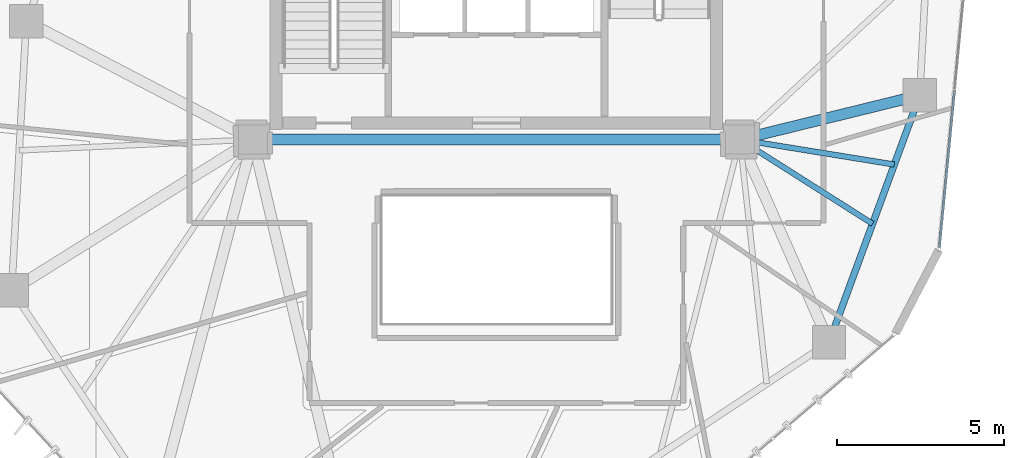
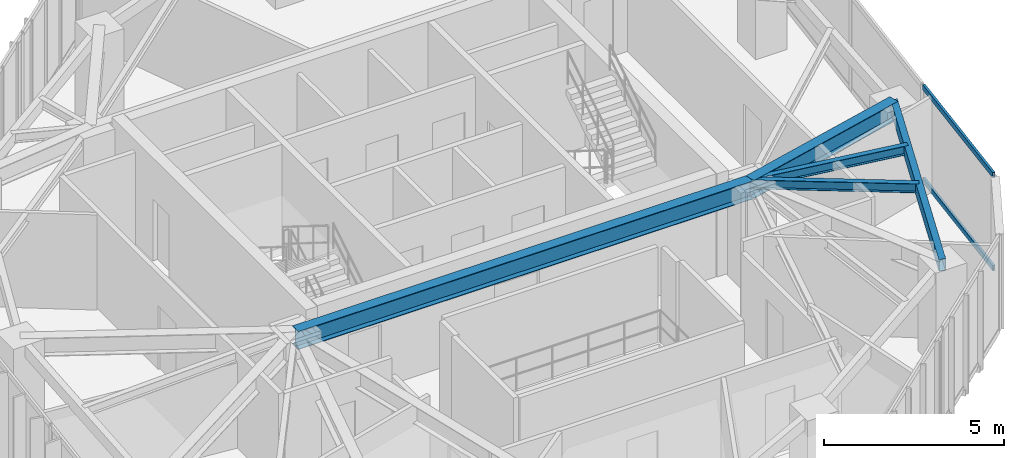
# One storey, part 9 of 21: 5 beams, 2 members, 1 element without a shape of its own.
"""IFC4 building model written with IfcOpenShell, lengths in metres."""

from ifc_helpers import new_model, si_unit, direction, frame, origin, origin_2d, place, context, subcontext, project, spatial, hollow_rectangle, i_section, extrude, source, transform, mapped, material, layer, layer_set, material_profile, profile_set, type_object, type_shapes, element, aggregate, save


model = new_model("IFC4")

# Units and contexts
model_context = context("Model", 3, precision=1e-05, world=origin(), true_north=direction((0.0, 1.0)))
body_context = subcontext(model_context, "Body", "Model", "MODEL_VIEW")
ifc_project = project(units=[si_unit("LENGTHUNIT", "METRE"), si_unit("AREAUNIT", "SQUARE_METRE"), si_unit("VOLUMEUNIT", "CUBIC_METRE"), si_unit("PLANEANGLEUNIT", "RADIAN"), si_unit("MASSUNIT", "GRAM", prefix="KILO")], contexts=[model_context])

# Site, building, storey
site_placement = place(None, origin())
site = spatial("IfcSite", under=ifc_project, at=site_placement, CompositionType="ELEMENT")
building_placement = place(site_placement, origin())
building = spatial("IfcBuilding", under=site, at=building_placement, Name="Talar Marvaseh", CompositionType="ELEMENT")
storey_placement = place(building_placement, frame((0.0, 0.0, 225.699951171875)))
storey = spatial("IfcBuildingStorey", under=building, at=storey_placement, Name="L59", CompositionType="ELEMENT", Elevation=225.699951171875)

# Beams
ifc_material_1 = material(Name="Steel S355", Category="steel")
ifc_material_profile_1 = material_profile(ifc_material_1, hollow_rectangle(XDim=0.199951171875, YDim=0.39990234375, WallThickness=0.013916015625, at=origin_2d()), Name="RHS400x200x14")
ifc_profile_set_1 = profile_set([ifc_material_profile_1], Name="Steel S355")
beam_type_1 = type_object("IfcBeamType", Name="Zone 3 Perimeter Spandrel Beam RHS400x200x14", PredefinedType="SPANDREL", material=ifc_profile_set_1)
beam_1_placement = place(storey_placement, frame((38.68896484375, 26.823974609375, 3.030029296875), z_axis=(-0.344742291376, -0.938697370049, 0.0), x_axis=(0.938697370049, -0.344742291376, 0.0)))
element("IfcBeam", 1, at=beam_1_placement, inside=storey, type_object=beam_type_1, Name="L59 Zone 3 Perimeter Spandrel Beam RHS400x200x14", PredefinedType="SPANDREL", context=body_context, shape_type="SweptSolid", body=[
    extrude(hollow_rectangle(XDim=0.199951171875, YDim=0.39990234375, WallThickness=0.013916015625, at=origin_2d()), origin(), (0.0, 0.0, 1.0), 7.88427734375),
])
ifc_material_profile_2 = material_profile(ifc_material_1, i_section(OverallWidth=0.324951171875, OverallDepth=0.615966796875, WebThickness=0.013916015625, FlangeThickness=0.021484375, at=origin_2d()), Name="W610x174")
ifc_profile_set_2 = profile_set([ifc_material_profile_2], Name="Steel S355")
beam_type_2 = type_object("IfcBeamType", Name="Zone 3 Radial Floor Girder W610x174", PredefinedType="BEAM", material=ifc_profile_set_2)
beam_2_placement = place(storey_placement, frame((18.699951171875, 25.5, 2.922119140625), z_axis=(1.0, 0.0, 0.0), x_axis=(0.0, 1.0, 0.0)))
element("IfcBeam", 2, at=beam_2_placement, inside=storey, type_object=beam_type_2, Name="L59 Zone 3 Radial Floor Girder W610x174", PredefinedType="BEAM", context=body_context, shape_type="SweptSolid", body=[
    extrude(i_section(OverallWidth=0.324951171875, OverallDepth=0.615966796875, WebThickness=0.013916015625, FlangeThickness=0.021484375, at=origin_2d()), origin(), (0.0, 0.0, 1.0), 14.60009765625),
])
beam_3_placement = place(storey_placement, frame((38.68896484375, 26.823974609375, 2.922119140625), z_axis=(-0.971120507527, -0.238589521692, 0.0), x_axis=(0.238589521692, -0.971120507527, 0.0)))
element("IfcBeam", 3, at=beam_3_placement, inside=storey, type_object=beam_type_2, Name="L59 Zone 3 Radial Floor Girder W610x174", PredefinedType="BEAM", context=body_context, shape_type="SweptSolid", body=[
    extrude(i_section(OverallWidth=0.324951171875, OverallDepth=0.615966796875, WebThickness=0.013916015625, FlangeThickness=0.021484375, at=origin_2d()), origin(), (0.0, 0.0, 1.0), 5.549072265625),
])
ifc_material_profile_3 = material_profile(ifc_material_1, i_section(OverallWidth=0.166015625, OverallDepth=0.31298828125, WebThickness=0.006591796875, FlangeThickness=0.01123046875, at=origin_2d()), Name="W310x45")
ifc_profile_set_3 = profile_set([ifc_material_profile_3], Name="Steel S355")
beam_type_3 = type_object("IfcBeamType", Name="Zone 3 Secondary Floor Joist W310x45", PredefinedType="JOIST", material=ifc_profile_set_3)
beam_4_placement = place(storey_placement, frame((37.927978515625, 24.751708984375, 3.073486328125), z_axis=(-0.987178985963, 0.159617197298, 0.0), x_axis=(-0.159617197298, -0.987178985963, 0.0)))
element("IfcBeam", 4, at=beam_4_placement, inside=storey, type_object=beam_type_3, Name="L59 Zone 3 Secondary Floor Joist W310x45", PredefinedType="JOIST", context=body_context, shape_type="SweptSolid", body=[
    extrude(i_section(OverallWidth=0.166015625, OverallDepth=0.31298828125, WebThickness=0.006591796875, FlangeThickness=0.01123046875, at=origin_2d()), origin(), (0.0, 0.0, 1.0), 4.68798828125),
])
beam_5_placement = place(storey_placement, frame((37.275634765625, 22.9755859375, 3.073486328125), z_axis=(-0.844190472961, 0.536043324147, 0.0), x_axis=(-0.536043324147, -0.844190472961, 0.0)))
element("IfcBeam", 5, at=beam_5_placement, inside=storey, type_object=beam_type_3, Name="L59 Zone 3 Secondary Floor Joist W310x45", PredefinedType="JOIST", context=body_context, shape_type="SweptSolid", body=[
    extrude(i_section(OverallWidth=0.166015625, OverallDepth=0.31298828125, WebThickness=0.006591796875, FlangeThickness=0.01123046875, at=origin_2d()), origin(), (0.0, 0.0, 1.0), 4.709228515625),
])

# Curtain wall, members
ifc_material_2 = material(Name="Architectural Aluminium", Category="aluminium")
ifc_layer = layer(ifc_material_2, 0.18994140625)
ifc_layer_set = layer_set([ifc_layer], Name="Architectural Aluminium")
curtain_wall_type = type_object("IfcCurtainWallType", Name="Unitised Solar Atelier Curtain Wall Z3", PredefinedType="NOTDEFINED", material=ifc_layer_set)
curtain_wall_placement = place(storey_placement, origin())
curtain_wall = element("IfcCurtainWall", 6, at=curtain_wall_placement, inside=storey, type_object=curtain_wall_type, Name="L59 Unitised Solar Atelier Curtain Wall Z3", PredefinedType="NOTDEFINED")
ifc_material_profile_4 = material_profile(ifc_material_2, hollow_rectangle(XDim=0.074951171875, YDim=0.179931640625, WallThickness=0.0048828125, at=origin_2d()), Name="RHS180x75x5")
ifc_profile_set_4 = profile_set([ifc_material_profile_4], Name="Architectural Aluminium")
member_type = type_object("IfcMemberType", Name="Unitised Curtain Wall Transom RHS180x75x5", PredefinedType="USERDEFINED", material=ifc_profile_set_4)
shared_shape = source(origin(), body_context, "Body", "SweptSolid", [
    extrude(hollow_rectangle(XDim=0.074951171875, YDim=0.179931640625, WallThickness=0.0048828125, at=origin_2d()), origin(), (0.0, 0.0, 1.0), 4.70947265625),
])
type_shapes(member_type, [shared_shape])
member_1_placement = place(storey_placement, frame((39.7294921875, 26.966552734375, 0.03759765625), z_axis=(-0.096007751982, -0.995380586288, 0.0), x_axis=(0.995380586288, -0.096007751982, 0.0)))
member_1 = element("IfcMember", 7, at=member_1_placement, type_object=member_type, Name="CW-Z3 transom 4.1", ObjectType="TRANSOM", PredefinedType="USERDEFINED", context=body_context, shape_type="MappedRepresentation", body=[
    mapped(shared_shape, transform((0.0, 0.0, 0.0), x_axis=(1.0, 0.0, 0.0), y_axis=(0.0, 1.0, 0.0), z_axis=(0.0, 0.0, 1.0), scale=1.0)),
])
member_2_placement = place(storey_placement, frame((39.7294921875, 26.966552734375, 3.192626953125), z_axis=(-0.096007751982, -0.995380586288, 0.0), x_axis=(0.995380586288, -0.096007751982, 0.0)))
member_2 = element("IfcMember", 8, at=member_2_placement, type_object=member_type, Name="CW-Z3 transom 4.2", ObjectType="TRANSOM", PredefinedType="USERDEFINED", context=body_context, shape_type="MappedRepresentation", body=[
    mapped(shared_shape, transform((0.0, 0.0, 0.0), x_axis=(1.0, 0.0, 0.0), y_axis=(0.0, 1.0, 0.0), z_axis=(0.0, 0.0, 1.0), scale=1.0)),
])
aggregate(curtain_wall, [member_1, member_2])

save(model, "model.ifc")
